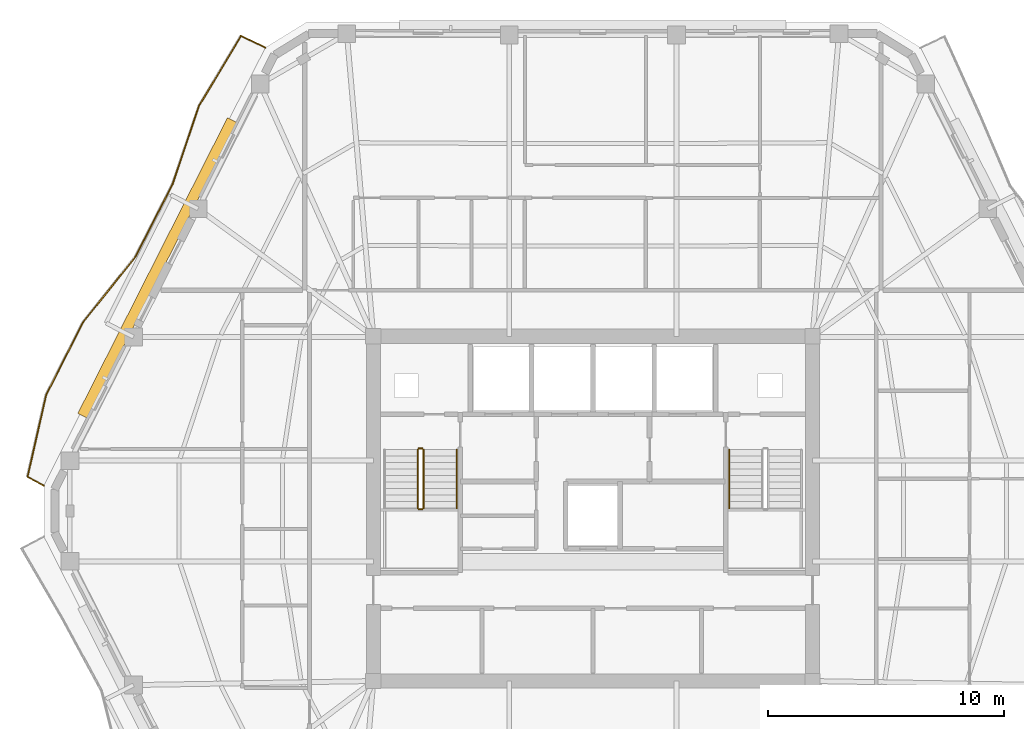
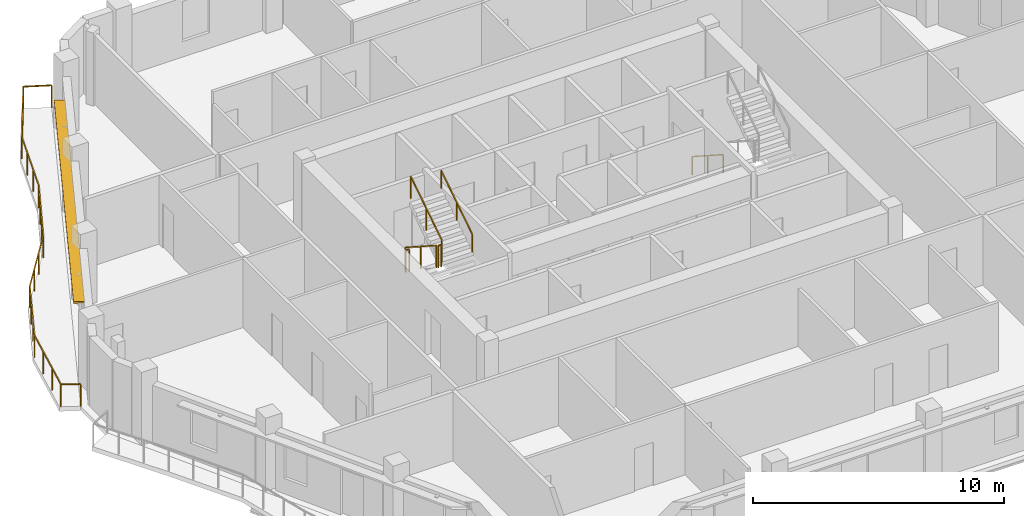
# One storey, part 10 of 12: 7 railings, 1 shading device.
"""IFC4 building model written with IfcOpenShell, lengths in metres."""

from ifc_helpers import new_model, si_unit, direction, frame, origin, origin_2d, place, context, subcontext, project, spatial, rectangle, extrude, material, layer, layer_set, type_object, element, save


model = new_model("IFC4")

# Units and contexts
model_context = context("Model", 3, precision=1e-05, world=origin(), true_north=direction((0.0, 1.0)))
body_context = subcontext(model_context, "Body", "Model", "MODEL_VIEW")
ifc_project = project(units=[si_unit("LENGTHUNIT", "METRE"), si_unit("AREAUNIT", "SQUARE_METRE"), si_unit("VOLUMEUNIT", "CUBIC_METRE"), si_unit("PLANEANGLEUNIT", "RADIAN"), si_unit("MASSUNIT", "GRAM", prefix="KILO")], contexts=[model_context])

# Site, building, storey
site_placement = place(None, origin())
site = spatial("IfcSite", under=ifc_project, at=site_placement, CompositionType="ELEMENT")
building_placement = place(site_placement, origin())
building = spatial("IfcBuilding", under=site, at=building_placement, Name="Cinnabar Lancet Tower", CompositionType="ELEMENT")
storey_placement = place(building_placement, frame((0.0, 0.0, 210.949951171875)))
storey = spatial("IfcBuildingStorey", under=building, at=storey_placement, Name="L56", CompositionType="ELEMENT", Elevation=210.949951171875)

# Railing
ifc_material_1 = material(Name="Laminated safety glass and bronze stainless steel balustrade", Category="steel")
railing_type_1 = type_object("IfcRailingType", Name="ENV-RLG-BAL-1100", PredefinedType="BALUSTRADE", material=ifc_material_1)
railing_1_placement = place(storey_placement, frame((18.530029296875, 45.428955078125, 0.0)))
element("IfcRailing", 1, at=railing_1_placement, inside=storey, type_object=railing_type_1, Name="L56 Face 5 Wave Balcony Balustrade", PredefinedType="BALUSTRADE", context=body_context, shape_type="SweptSolid", body=[
    extrude(rectangle(XDim=0.048095703125, YDim=0.048095703125, at=origin_2d()), frame((0.0, 0.0, 1.076171875), z_axis=(-0.904145675016, 0.42722429513, 0.0), x_axis=(-0.42722429513, -0.904145675016, 0.0)), (0.0, 0.0, 1.0), 1.14453125),
    extrude(rectangle(XDim=0.048095703125, YDim=0.048095703125, at=origin_2d()), frame((-1.034912109375, 0.489013671875, 1.076171875), z_axis=(-0.514381828618, -0.857561271506, 0.0), x_axis=(0.857561271506, -0.514381828618, 0.0)), (0.0, 0.0, 1.0), 3.466796875),
    extrude(rectangle(XDim=0.048095703125, YDim=0.048095703125, at=origin_2d()), frame((-2.818115234375, -2.48388671875, 1.076171875), z_axis=(-0.320062574778, -0.94739640501, 0.0), x_axis=(0.94739640501, -0.320062574778, 0.0)), (0.0, 0.0, 1.0), 3.492919921875),
    extrude(rectangle(XDim=0.048095703125, YDim=0.048095703125, at=origin_2d()), frame((-3.93603515625, -5.79296875, 1.076171875), z_axis=(-0.455193214593, -0.890392687183, 0.0), x_axis=(0.890392687183, -0.455193214593, 0.0)), (0.0, 0.0, 1.0), 3.45556640625),
    extrude(rectangle(XDim=0.048095703125, YDim=0.048095703125, at=origin_2d()), frame((-5.509033203125, -8.869873046875, 1.076171875), z_axis=(-0.625369423576, -0.780328830722, 0.0), x_axis=(0.780328830722, -0.625369423576, 0.0)), (0.0, 0.0, 1.0), 3.53076171875),
    extrude(rectangle(XDim=0.048095703125, YDim=0.048095703125, at=origin_2d()), frame((-7.717041015625, -11.625, 1.076171875), z_axis=(-0.453530073673, -0.891240973179, 0.0), x_axis=(0.891240973179, -0.453530073673, 0.0)), (0.0, 0.0, 1.0), 3.45703125),
    extrude(rectangle(XDim=0.048095703125, YDim=0.048095703125, at=origin_2d()), frame((-9.284912109375, -14.7060546875, 1.076171875), z_axis=(-0.221499653846, -0.975160450052, 0.0), x_axis=(0.975160450052, -0.221499653846, 0.0)), (0.0, 0.0, 1.0), 3.562255859375),
    extrude(rectangle(XDim=0.048095703125, YDim=0.048095703125, at=origin_2d()), frame((-10.073974609375, -18.179931640625, 1.076171875), z_axis=(0.875886650895, -0.482516916578, 0.0), x_axis=(0.482516916578, 0.875886650895, 0.0)), (0.0, 0.0, 1.0), 0.783203125),
    extrude(rectangle(XDim=0.0419921875, YDim=0.0419921875, at=origin_2d()), origin(), (0.0, 0.0, 1.0), 1.052001953125),
    extrude(rectangle(XDim=0.0419921875, YDim=0.0419921875, at=origin_2d()), frame((-1.034912109375, 0.489013671875, 0.0)), (0.0, 0.0, 1.0), 1.052001953125),
    extrude(rectangle(XDim=0.0419921875, YDim=0.0419921875, at=origin_2d()), frame((-1.62939453125, -0.501953125, 0.0)), (0.0, 0.0, 1.0), 1.052001953125),
    extrude(rectangle(XDim=0.0419921875, YDim=0.0419921875, at=origin_2d()), frame((-2.2236328125, -1.492919921875, 0.0)), (0.0, 0.0, 1.0), 1.052001953125),
    extrude(rectangle(XDim=0.0419921875, YDim=0.0419921875, at=origin_2d()), frame((-2.818115234375, -2.48388671875, 0.0)), (0.0, 0.0, 1.0), 1.052001953125),
    extrude(rectangle(XDim=0.0419921875, YDim=0.0419921875, at=origin_2d()), frame((-3.190673828125, -3.5869140625, 0.0)), (0.0, 0.0, 1.0), 1.052001953125),
    extrude(rectangle(XDim=0.0419921875, YDim=0.0419921875, at=origin_2d()), frame((-3.5634765625, -4.68994140625, 0.0)), (0.0, 0.0, 1.0), 1.052001953125),
    extrude(rectangle(XDim=0.0419921875, YDim=0.0419921875, at=origin_2d()), frame((-3.93603515625, -5.79296875, 0.0)), (0.0, 0.0, 1.0), 1.052001953125),
    extrude(rectangle(XDim=0.0419921875, YDim=0.0419921875, at=origin_2d()), frame((-4.46044921875, -6.818603515625, 0.0)), (0.0, 0.0, 1.0), 1.052001953125),
    extrude(rectangle(XDim=0.0419921875, YDim=0.0419921875, at=origin_2d()), frame((-4.984619140625, -7.84423828125, 0.0)), (0.0, 0.0, 1.0), 1.052001953125),
    extrude(rectangle(XDim=0.0419921875, YDim=0.0419921875, at=origin_2d()), frame((-5.509033203125, -8.869873046875, 0.0)), (0.0, 0.0, 1.0), 1.052001953125),
    extrude(rectangle(XDim=0.0419921875, YDim=0.0419921875, at=origin_2d()), frame((-6.2451171875, -9.788330078125, 0.0)), (0.0, 0.0, 1.0), 1.052001953125),
    extrude(rectangle(XDim=0.0419921875, YDim=0.0419921875, at=origin_2d()), frame((-6.98095703125, -10.70654296875, 0.0)), (0.0, 0.0, 1.0), 1.052001953125),
    extrude(rectangle(XDim=0.0419921875, YDim=0.0419921875, at=origin_2d()), frame((-7.717041015625, -11.625, 0.0)), (0.0, 0.0, 1.0), 1.052001953125),
    extrude(rectangle(XDim=0.0419921875, YDim=0.0419921875, at=origin_2d()), frame((-8.23974609375, -12.652099609375, 0.0)), (0.0, 0.0, 1.0), 1.052001953125),
    extrude(rectangle(XDim=0.0419921875, YDim=0.0419921875, at=origin_2d()), frame((-8.76220703125, -13.678955078125, 0.0)), (0.0, 0.0, 1.0), 1.052001953125),
    extrude(rectangle(XDim=0.0419921875, YDim=0.0419921875, at=origin_2d()), frame((-9.284912109375, -14.7060546875, 0.0)), (0.0, 0.0, 1.0), 1.052001953125),
    extrude(rectangle(XDim=0.0419921875, YDim=0.0419921875, at=origin_2d()), frame((-9.5478515625, -15.864013671875, 0.0)), (0.0, 0.0, 1.0), 1.052001953125),
    extrude(rectangle(XDim=0.0419921875, YDim=0.0419921875, at=origin_2d()), frame((-9.81103515625, -17.02197265625, 0.0)), (0.0, 0.0, 1.0), 1.052001953125),
    extrude(rectangle(XDim=0.0419921875, YDim=0.0419921875, at=origin_2d()), frame((-10.073974609375, -18.179931640625, 0.0)), (0.0, 0.0, 1.0), 1.052001953125),
    extrude(rectangle(XDim=0.0419921875, YDim=0.0419921875, at=origin_2d()), frame((-9.387939453125, -18.557861328125, 0.0)), (0.0, 0.0, 1.0), 1.052001953125),
])

# Shading device
ifc_material_2 = material(Name="Pale limestone architectural aluminium sunshade", Category="masonry")
ifc_layer = layer(ifc_material_2, 0.080078125)
ifc_layer_set = layer_set([ifc_layer], Name="Pale limestone architectural aluminium sunshade")
shading_device_type = type_object("IfcShadingDeviceType", Name="ENV-SHD-LVR-450", PredefinedType="JALOUSIE", material=ifc_layer_set)
shading_device_placement = place(storey_placement, frame((13.9541015625, 36.093994140625, 2.639892578125), z_axis=(0.0, 0.0, 1.0), x_axis=(-0.45140713236, -0.892318105193, 0.0)))
element("IfcShadingDevice", 2, at=shading_device_placement, inside=storey, type_object=shading_device_type, Name="L56 Face 5 Horizontal Sunshade Canopy", PredefinedType="JALOUSIE", context=body_context, shape_type="SweptSolid", body=[
    extrude(rectangle(XDim=14.034912109375, YDim=0.449951171875, at=origin_2d()), origin(), (0.0, 0.0, 1.0), 0.080078125),
])

# Railings
ifc_material_3 = material(Name="Painted galvanized steel balustrade", Category="steel")
railing_type_2 = type_object("IfcRailingType", Name="GUARD-STAIR", PredefinedType="GUARDRAIL", material=ifc_material_3)
railing_2_placement = place(storey_placement, frame((24.97509765625, 28.39990234375, 0.177490234375)))
element("IfcRailing", 3, at=railing_2_placement, inside=storey, type_object=railing_type_2, Name="L56 ST-1 stair guard 1", PredefinedType="GUARDRAIL", context=body_context, shape_type="SweptSolid", body=[
    extrude(rectangle(XDim=0.048095703125, YDim=0.048095703125, at=origin_2d()), frame((0.0, 0.0, 1.076171875), z_axis=(0.0, -0.84014559416, 0.542360932049), x_axis=(1.0, 0.0, 0.0)), (0.0, 0.0, 1.0), 2.94580078125),
    extrude(rectangle(XDim=0.0419921875, YDim=0.0419921875, at=origin_2d()), origin(), (0.0, 0.0, 1.0), 1.052001953125),
    extrude(rectangle(XDim=0.0419921875, YDim=0.0419921875, at=origin_2d()), frame((0.0, -1.2373046875, 0.798828125)), (0.0, 0.0, 1.0), 1.052001953125),
    extrude(rectangle(XDim=0.0419921875, YDim=0.0419921875, at=origin_2d()), frame((0.0, -2.474853515625, 1.59765625)), (0.0, 0.0, 1.0), 1.052001953125),
])
railing_3_placement = place(storey_placement, frame((25.02490234375, 25.875, 1.775146484375)))
element("IfcRailing", 4, at=railing_3_placement, inside=storey, type_object=railing_type_2, Name="L56 ST-1 stair guard 2", PredefinedType="GUARDRAIL", context=body_context, shape_type="SweptSolid", body=[
    extrude(rectangle(XDim=0.048095703125, YDim=0.048095703125, at=origin_2d()), frame((0.0, 0.0, 1.076171875), z_axis=(1.0, 0.0, 0.0), x_axis=(0.0, 1.0, 0.0)), (0.0, 0.0, 1.0), 0.150146484375),
    extrude(rectangle(XDim=0.0419921875, YDim=0.0419921875, at=origin_2d()), origin(), (0.0, 0.0, 1.0), 1.052001953125),
    extrude(rectangle(XDim=0.0419921875, YDim=0.0419921875, at=origin_2d()), frame((0.150146484375, 0.0, 0.0)), (0.0, 0.0, 1.0), 1.052001953125),
])
railing_4_placement = place(storey_placement, frame((25.22509765625, 25.925048828125, 1.95263671875)))
element("IfcRailing", 5, at=railing_4_placement, inside=storey, type_object=railing_type_2, Name="L56 ST-1 stair guard 3", PredefinedType="GUARDRAIL", context=body_context, shape_type="SweptSolid", body=[
    extrude(rectangle(XDim=0.048095703125, YDim=0.048095703125, at=origin_2d()), frame((0.0, 0.0, 1.076171875), z_axis=(0.0, 0.840183358697, 0.542302428327), x_axis=(-1.0, 0.0, 0.0)), (0.0, 0.0, 1.0), 2.945556640625),
    extrude(rectangle(XDim=0.0419921875, YDim=0.0419921875, at=origin_2d()), origin(), (0.0, 0.0, 1.0), 1.052001953125),
    extrude(rectangle(XDim=0.0419921875, YDim=0.0419921875, at=origin_2d()), frame((0.0, 1.2373046875, 0.798828125)), (0.0, 0.0, 1.0), 1.052001953125),
    extrude(rectangle(XDim=0.0419921875, YDim=0.0419921875, at=origin_2d()), frame((0.0, 2.474853515625, 1.597412109375)), (0.0, 0.0, 1.0), 1.052001953125),
])
railing_5_placement = place(storey_placement, frame((25.02490234375, 28.449951171875, 0.0)))
element("IfcRailing", 6, at=railing_5_placement, inside=storey, type_object=railing_type_2, Name="L56 ST-1 stair guard 4", PredefinedType="GUARDRAIL", context=body_context, shape_type="SweptSolid", body=[
    extrude(rectangle(XDim=0.048095703125, YDim=0.048095703125, at=origin_2d()), frame((0.0, 0.0, 1.076171875), z_axis=(1.0, 0.0, 0.0), x_axis=(0.0, 1.0, 0.0)), (0.0, 0.0, 1.0), 0.150146484375),
    extrude(rectangle(XDim=0.0419921875, YDim=0.0419921875, at=origin_2d()), origin(), (0.0, 0.0, 1.0), 1.052001953125),
    extrude(rectangle(XDim=0.0419921875, YDim=0.0419921875, at=origin_2d()), frame((0.150146484375, 0.0, 0.0)), (0.0, 0.0, 1.0), 1.052001953125),
])
ifc_material_4 = material(Name="Brushed stainless steel handrail", Category="steel")
railing_type_3 = type_object("IfcRailingType", Name="HANDRAIL-STAIR", PredefinedType="HANDRAIL", material=ifc_material_4)
railing_6_placement = place(storey_placement, frame((26.625, 25.925048828125, 1.95263671875)))
element("IfcRailing", 7, at=railing_6_placement, inside=storey, type_object=railing_type_3, Name="L56 ST-1 stair handrail 2", PredefinedType="HANDRAIL", context=body_context, shape_type="SweptSolid", body=[
    extrude(rectangle(XDim=0.048095703125, YDim=0.048095703125, at=origin_2d()), frame((0.0, 0.0, 0.8759765625), z_axis=(0.0, 0.840183358697, 0.542302428327), x_axis=(-1.0, 0.0, 0.0)), (0.0, 0.0, 1.0), 2.945556640625),
    extrude(rectangle(XDim=0.0419921875, YDim=0.0419921875, at=origin_2d()), origin(), (0.0, 0.0, 1.0), 0.851806640625),
    extrude(rectangle(XDim=0.0419921875, YDim=0.0419921875, at=origin_2d()), frame((0.0, 1.2373046875, 0.798828125)), (0.0, 0.0, 1.0), 0.851806640625),
    extrude(rectangle(XDim=0.0419921875, YDim=0.0419921875, at=origin_2d()), frame((0.0, 2.474853515625, 1.597412109375)), (0.0, 0.0, 1.0), 0.851806640625),
])
railing_7_placement = place(storey_placement, frame((38.175048828125, 28.39990234375, 0.177490234375)))
element("IfcRailing", 8, at=railing_7_placement, inside=storey, type_object=railing_type_3, Name="L56 ST-2 stair handrail 1", PredefinedType="HANDRAIL", context=body_context, shape_type="SweptSolid", body=[
    extrude(rectangle(XDim=0.048095703125, YDim=0.048095703125, at=origin_2d()), frame((0.0, 0.0, 0.8759765625), z_axis=(0.0, -0.84014559416, 0.542360932049), x_axis=(1.0, 0.0, 0.0)), (0.0, 0.0, 1.0), 2.94580078125),
    extrude(rectangle(XDim=0.0419921875, YDim=0.0419921875, at=origin_2d()), origin(), (0.0, 0.0, 1.0), 0.851806640625),
    extrude(rectangle(XDim=0.0419921875, YDim=0.0419921875, at=origin_2d()), frame((0.0, -1.2373046875, 0.798828125)), (0.0, 0.0, 1.0), 0.851806640625),
    extrude(rectangle(XDim=0.0419921875, YDim=0.0419921875, at=origin_2d()), frame((0.0, -2.474853515625, 1.59765625)), (0.0, 0.0, 1.0), 0.851806640625),
])

save(model, "model.ifc")
